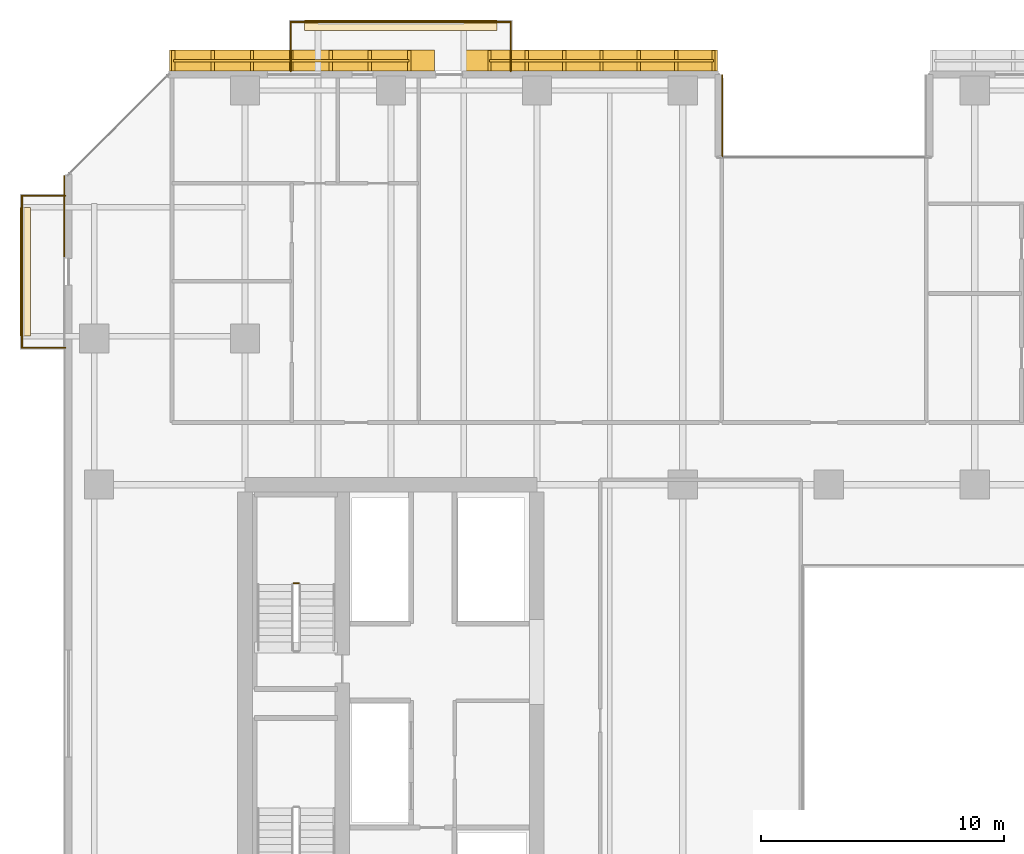
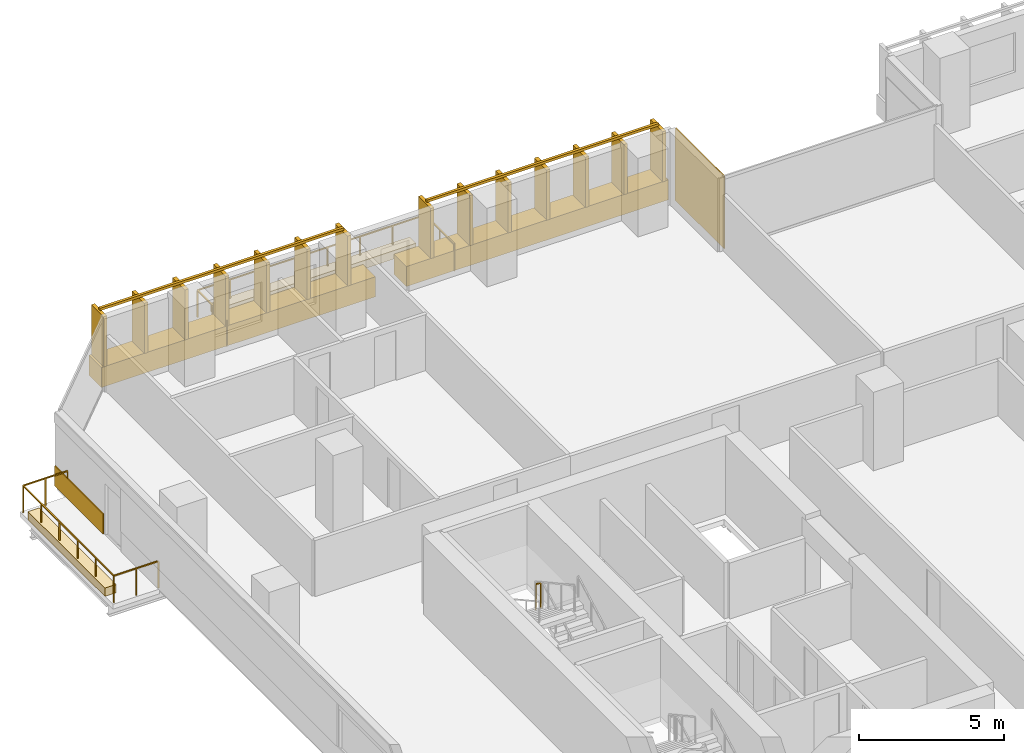
# One storey, part 29 of 33: 6 coverings, 5 railings.
"""IFC4 building model written with IfcOpenShell, lengths in metres."""

from ifc_helpers import new_model, si_unit, direction, frame, origin, origin_2d, place, context, subcontext, project, spatial, polyline, rectangle, outline, extrude, material, layer, layer_set, type_object, element, save


model = new_model("IFC4")

# Units and contexts
model_context = context("Model", 3, precision=1e-05, world=origin(), true_north=direction((0.0, 1.0)))
body_context = subcontext(model_context, "Body", "Model", "MODEL_VIEW")
ifc_project = project(units=[si_unit("LENGTHUNIT", "METRE"), si_unit("AREAUNIT", "SQUARE_METRE"), si_unit("VOLUMEUNIT", "CUBIC_METRE"), si_unit("PLANEANGLEUNIT", "RADIAN"), si_unit("MASSUNIT", "GRAM", prefix="KILO")], contexts=[model_context])

# Site, building, storey
site_placement = place(None, origin())
site = spatial("IfcSite", under=ifc_project, at=site_placement, CompositionType="ELEMENT")
building_placement = place(site_placement, origin())
building = spatial("IfcBuilding", under=site, at=building_placement, Name="Tanjung Sevakor Pilgrim Tower", CompositionType="ELEMENT")
storey_placement = place(building_placement, frame((0.0, 0.0, 52.139892578125)))
storey = spatial("IfcBuildingStorey", under=building, at=storey_placement, Name="L14", CompositionType="ELEMENT", Elevation=52.139892578125)

# Coverings
ifc_material_1 = material(Name="Reconstructed Limestone Cladding", Category="masonry")
ifc_layer_1 = layer(ifc_material_1, 0.044921875)
ifc_layer_set_1 = layer_set([ifc_layer_1], Name="COV-CLAD-LIMESTONE")
covering_type_1 = type_object("IfcCoveringType", Name="COV-CLAD-LIMESTONE", PredefinedType="CLADDING", material=ifc_layer_set_1)
covering_1_placement = place(storey_placement, frame((43.62255859375, 57.760009765625, 0.02001953125), z_axis=(0.0, 0.0, 1.0), x_axis=(0.0, 1.0, 0.0)))
element("IfcCovering", 1, at=covering_1_placement, inside=storey, type_object=covering_type_1, Name="L14 Warm Limestone Wall Cladding EW-L14-MAIN-12", PredefinedType="CLADDING", context=body_context, shape_type="SweptSolid", body=[
    extrude(rectangle(XDim=3.360107421875, YDim=0.044921875, at=origin_2d()), origin(), (0.0, 0.0, 1.0), 3.0400390625),
])
covering_2_placement = place(storey_placement, frame((38.215087890625, 60.030029296875, 0.01025390625), z_axis=(0.0, 0.0, 1.0), x_axis=(-1.0, 0.0, 0.0)))
element("IfcCovering", 2, at=covering_2_placement, inside=storey, type_object=covering_type_1, Name="L14 Warm Limestone Sill Spandrel EW-L14-MAIN-13-1", PredefinedType="CLADDING", context=body_context, shape_type="SweptSolid", body=[
    extrude(rectangle(XDim=10.409912109375, YDim=0.860107421875, at=origin_2d()), origin(), (0.0, 0.0, 1.0), 0.840087890625),
])
covering_3_placement = place(storey_placement, frame((26.343994140625, 60.030029296875, 0.01025390625), z_axis=(0.0, 0.0, 1.0), x_axis=(-1.0, 0.0, 0.0)))
element("IfcCovering", 3, at=covering_3_placement, inside=storey, type_object=covering_type_1, Name="L14 Warm Limestone Sill Spandrel EW-L14-MAIN-13-2", PredefinedType="CLADDING", context=body_context, shape_type="SweptSolid", body=[
    extrude(rectangle(XDim=10.89208984375, YDim=0.860107421875, at=origin_2d()), origin(), (0.0, 0.0, 1.0), 0.840087890625),
])
covering_4_placement = place(storey_placement, frame((16.577392578125, 53.631103515625, 0.01025390625), z_axis=(0.0, 0.0, 1.0), x_axis=(0.0, -1.0, 0.0)))
element("IfcCovering", 4, at=covering_4_placement, inside=storey, type_object=covering_type_1, Name="L14 Warm Limestone Sill Spandrel EW-L14-MAIN-15-1", PredefinedType="CLADDING", context=body_context, shape_type="SweptSolid", body=[
    extrude(rectangle(XDim=3.342041015625, YDim=0.044921875, at=origin_2d()), origin(), (0.0, 0.0, 1.0), 0.840087890625),
])
ifc_material_2 = material(Name="Vegetated Modular Planter Assembly", Category="organic")
ifc_layer_2 = layer(ifc_material_2, 0.35009765625)
ifc_layer_set_2 = layer_set([ifc_layer_2], Name="COV-GRN-TROUGH")
covering_type_2 = type_object("IfcCoveringType", Name="COV-GRN-TROUGH", PredefinedType="CLADDING", material=ifc_layer_set_2)
covering_5_placement = place(storey_placement, origin())
element("IfcCovering", 5, at=covering_5_placement, inside=storey, type_object=covering_type_2, Name="L14 Planted Landscape Hedge Trough BGRN-L14-MAIN-N1", PredefinedType="CLADDING", context=body_context, shape_type="SweptSolid", body=[
    extrude(outline(polyline([(26.449951171875, 61.260009765625), (34.35009765625, 61.260009765625), (34.35009765625, 61.699951171875), (26.449951171875, 61.699951171875), (26.449951171875, 61.260009765625)])), origin(), (0.0, 0.0, 1.0), 0.35009765625),
])
covering_6_placement = place(storey_placement, origin())
element("IfcCovering", 6, at=covering_6_placement, inside=storey, type_object=covering_type_2, Name="L14 Planted Landscape Hedge Trough BGRN-L14-MAIN-W1", PredefinedType="CLADDING", context=body_context, shape_type="SweptSolid", body=[
    extrude(outline(polyline([(15.18994140625, 48.699951171875), (15.18994140625, 54.0), (14.75, 54.0), (14.75, 48.699951171875), (15.18994140625, 48.699951171875)])), origin(), (0.0, 0.0, 1.0), 0.35009765625),
])

# Railings
ifc_material_3 = material(Name="Laminated Glass and Aluminium", Category="aluminium")
railing_type_1 = type_object("IfcRailingType", Name="RL-BAL-BALUST", PredefinedType="BALUSTRADE", material=ifc_material_3)
railing_1_placement = place(storey_placement, frame((25.8798828125, 59.60009765625, 0.0)))
element("IfcRailing", 7, at=railing_1_placement, inside=storey, type_object=railing_type_1, Name="L14 Loggia Balustrade MAIN-N1", PredefinedType="BALUSTRADE", context=body_context, shape_type="SweptSolid", body=[
    extrude(rectangle(XDim=0.0479, YDim=0.0479), frame((0.0, 0.0, 1.1259765625), z_axis=(0.0, 1.0, 0.0), x_axis=(-1.0, 0.0, 0.0)), (0.0, 0.0, 1.0), 2.02001953125),
    extrude(rectangle(XDim=0.0479, YDim=0.0479), frame((0.0, 2.02001953125, 1.1259765625), z_axis=(1.0, 0.0, 0.0), x_axis=(0.0, 1.0, 0.0)), (0.0, 0.0, 1.0), 9.0400390625),
    extrude(rectangle(XDim=0.0479, YDim=0.0479), frame((9.0400390625, 2.02001953125, 1.1259765625), z_axis=(0.0, -1.0, 0.0), x_axis=(1.0, 0.0, 0.0)), (0.0, 0.0, 1.0), 2.02001953125),
    extrude(rectangle(XDim=0.042, YDim=0.042), origin(), (0.0, 0.0, 1.0), 1.101806640625),
    extrude(rectangle(XDim=0.042, YDim=0.042), frame((0.0, 1.010009765625, 0.0)), (0.0, 0.0, 1.0), 1.101806640625),
    extrude(rectangle(XDim=0.042, YDim=0.042), frame((0.0, 2.02001953125, 0.0)), (0.0, 0.0, 1.0), 1.101806640625),
    extrude(rectangle(XDim=0.042, YDim=0.042), frame((1.29150390625, 2.02001953125, 0.0)), (0.0, 0.0, 1.0), 1.101806640625),
    extrude(rectangle(XDim=0.042, YDim=0.042), frame((2.582763671875, 2.02001953125, 0.0)), (0.0, 0.0, 1.0), 1.101806640625),
    extrude(rectangle(XDim=0.042, YDim=0.042), frame((3.874267578125, 2.02001953125, 0.0)), (0.0, 0.0, 1.0), 1.101806640625),
    extrude(rectangle(XDim=0.042, YDim=0.042), frame((5.165771484375, 2.02001953125, 0.0)), (0.0, 0.0, 1.0), 1.101806640625),
    extrude(rectangle(XDim=0.042, YDim=0.042), frame((6.457275390625, 2.02001953125, 0.0)), (0.0, 0.0, 1.0), 1.101806640625),
    extrude(rectangle(XDim=0.042, YDim=0.042), frame((7.74853515625, 2.02001953125, 0.0)), (0.0, 0.0, 1.0), 1.101806640625),
    extrude(rectangle(XDim=0.042, YDim=0.042), frame((9.0400390625, 2.02001953125, 0.0)), (0.0, 0.0, 1.0), 1.101806640625),
    extrude(rectangle(XDim=0.042, YDim=0.042), frame((9.0400390625, 1.010009765625, 0.0)), (0.0, 0.0, 1.0), 1.101806640625),
    extrude(rectangle(XDim=0.042, YDim=0.042), frame((9.0400390625, 0.0, 0.0)), (0.0, 0.0, 1.0), 1.101806640625),
])
railing_2_placement = place(storey_placement, frame((16.60009765625, 48.22998046875, 0.0)))
element("IfcRailing", 8, at=railing_2_placement, inside=storey, type_object=railing_type_1, Name="L14 Loggia Balustrade MAIN-W1", PredefinedType="BALUSTRADE", context=body_context, shape_type="SweptSolid", body=[
    extrude(rectangle(XDim=0.0479, YDim=0.0479), frame((0.0, 0.0, 1.1259765625), z_axis=(-1.0, 0.0, 0.0), x_axis=(0.0, -1.0, 0.0)), (0.0, 0.0, 1.0), 1.77001953125),
    extrude(rectangle(XDim=0.0479, YDim=0.0479), frame((-1.77001953125, 0.0, 1.1259765625), z_axis=(0.0, 1.0, 0.0), x_axis=(-1.0, 0.0, 0.0)), (0.0, 0.0, 1.0), 6.239990234375),
    extrude(rectangle(XDim=0.0479, YDim=0.0479), frame((-1.77001953125, 6.239990234375, 1.1259765625), z_axis=(1.0, 0.0, 0.0), x_axis=(0.0, 1.0, 0.0)), (0.0, 0.0, 1.0), 1.77001953125),
    extrude(rectangle(XDim=0.042, YDim=0.042), origin(), (0.0, 0.0, 1.0), 1.101806640625),
    extrude(rectangle(XDim=0.042, YDim=0.042), frame((-0.885009765625, 0.0, 0.0)), (0.0, 0.0, 1.0), 1.101806640625),
    extrude(rectangle(XDim=0.042, YDim=0.042), frame((-1.77001953125, 0.0, 0.0)), (0.0, 0.0, 1.0), 1.101806640625),
    extrude(rectangle(XDim=0.042, YDim=0.042), frame((-1.77001953125, 1.248046875, 0.0)), (0.0, 0.0, 1.0), 1.101806640625),
    extrude(rectangle(XDim=0.042, YDim=0.042), frame((-1.77001953125, 2.49609375, 0.0)), (0.0, 0.0, 1.0), 1.101806640625),
    extrude(rectangle(XDim=0.042, YDim=0.042), frame((-1.77001953125, 3.743896484375, 0.0)), (0.0, 0.0, 1.0), 1.101806640625),
    extrude(rectangle(XDim=0.042, YDim=0.042), frame((-1.77001953125, 4.991943359375, 0.0)), (0.0, 0.0, 1.0), 1.101806640625),
    extrude(rectangle(XDim=0.042, YDim=0.042), frame((-1.77001953125, 6.239990234375, 0.0)), (0.0, 0.0, 1.0), 1.101806640625),
    extrude(rectangle(XDim=0.042, YDim=0.042), frame((-0.885009765625, 6.239990234375, 0.0)), (0.0, 0.0, 1.0), 1.101806640625),
    extrude(rectangle(XDim=0.042, YDim=0.042), frame((0.0, 6.239990234375, 0.0)), (0.0, 0.0, 1.0), 1.101806640625),
])
ifc_material_4 = material(Name="Anodised Bronze Aluminium 6063-T6", Category="aluminium")
railing_type_2 = type_object("IfcRailingType", Name="RL-FIN-SCREEN", PredefinedType="BALUSTRADE", material=ifc_material_4)
railing_3_placement = place(storey_placement, frame((43.260009765625, 60.02490234375, 0.840087890625)))
element("IfcRailing", 9, at=railing_3_placement, inside=storey, type_object=railing_type_2, Name="L14 Vertical Bronze-Gold Solar Fin Screen FNSCR-EW-L14-MAIN-13-1", PredefinedType="BALUSTRADE", context=body_context, shape_type="SweptSolid", body=[
    extrude(rectangle(XDim=0.105, YDim=0.105), frame((0.0, 0.0, 2.157470703125), z_axis=(-1.0, 0.0, 0.0), x_axis=(0.0, -1.0, 0.0)), (0.0, 0.0, 1.0), 9.2099609375),
    extrude(rectangle(XDim=0.14, YDim=0.85), origin(), (0.0, 0.0, 1.0), 2.10498046875),
    extrude(rectangle(XDim=0.14, YDim=0.85), frame((-1.534912109375, 0.0, 0.0)), (0.0, 0.0, 1.0), 2.10498046875),
    extrude(rectangle(XDim=0.14, YDim=0.85), frame((-3.070068359375, 0.0, 0.0)), (0.0, 0.0, 1.0), 2.10498046875),
    extrude(rectangle(XDim=0.14, YDim=0.85), frame((-4.60498046875, 0.0, 0.0)), (0.0, 0.0, 1.0), 2.10498046875),
    extrude(rectangle(XDim=0.14, YDim=0.85), frame((-6.139892578125, 0.0, 0.0)), (0.0, 0.0, 1.0), 2.10498046875),
    extrude(rectangle(XDim=0.14, YDim=0.85), frame((-7.675048828125, 0.0, 0.0)), (0.0, 0.0, 1.0), 2.10498046875),
    extrude(rectangle(XDim=0.14, YDim=0.85), frame((-9.2099609375, 0.0, 0.0)), (0.0, 0.0, 1.0), 2.10498046875),
])
railing_4_placement = place(storey_placement, frame((30.75, 60.02490234375, 0.840087890625)))
element("IfcRailing", 10, at=railing_4_placement, inside=storey, type_object=railing_type_2, Name="L14 Vertical Bronze-Gold Solar Fin Screen FNSCR-EW-L14-MAIN-13-2", PredefinedType="BALUSTRADE", context=body_context, shape_type="SweptSolid", body=[
    extrude(rectangle(XDim=0.105, YDim=0.105), frame((0.0, 0.0, 2.157470703125), z_axis=(-1.0, 0.0, 0.0), x_axis=(0.0, -1.0, 0.0)), (0.0, 0.0, 1.0), 9.69189453125),
    extrude(rectangle(XDim=0.14, YDim=0.85), origin(), (0.0, 0.0, 1.0), 2.10498046875),
    extrude(rectangle(XDim=0.14, YDim=0.85), frame((-1.615234375, 0.0, 0.0)), (0.0, 0.0, 1.0), 2.10498046875),
    extrude(rectangle(XDim=0.14, YDim=0.85), frame((-3.230712890625, 0.0, 0.0)), (0.0, 0.0, 1.0), 2.10498046875),
    extrude(rectangle(XDim=0.14, YDim=0.85), frame((-4.845947265625, 0.0, 0.0)), (0.0, 0.0, 1.0), 2.10498046875),
    extrude(rectangle(XDim=0.14, YDim=0.85), frame((-6.461181640625, 0.0, 0.0)), (0.0, 0.0, 1.0), 2.10498046875),
    extrude(rectangle(XDim=0.14, YDim=0.85), frame((-8.07666015625, 0.0, 0.0)), (0.0, 0.0, 1.0), 2.10498046875),
    extrude(rectangle(XDim=0.14, YDim=0.85), frame((-9.69189453125, 0.0, 0.0)), (0.0, 0.0, 1.0), 2.10498046875),
])
ifc_material_5 = material(Name="Steel S355J2", Category="steel")
railing_type_3 = type_object("IfcRailingType", Name="RL-STAIR-GUARD", PredefinedType="GUARDRAIL", material=ifc_material_5)
railing_5_placement = place(storey_placement, frame((26.199951171875, 38.550048828125, 1.650146484375)))
element("IfcRailing", 11, at=railing_5_placement, inside=storey, type_object=railing_type_3, Name="L14 TS-W2 stair guard 2", PredefinedType="GUARDRAIL", context=body_context, shape_type="SweptSolid", body=[
    extrude(rectangle(XDim=0.0479, YDim=0.0479), frame((0.0, 0.0, 1.076171875), z_axis=(-1.0, 0.0, 0.0), x_axis=(0.0, -1.0, 0.0)), (0.0, 0.0, 1.0), 0.199951171875),
    extrude(rectangle(XDim=0.042, YDim=0.042), origin(), (0.0, 0.0, 1.0), 1.052001953125),
    extrude(rectangle(XDim=0.042, YDim=0.042), frame((-0.199951171875, 0.0, 0.0)), (0.0, 0.0, 1.0), 1.052001953125),
])

save(model, "model.ifc")
